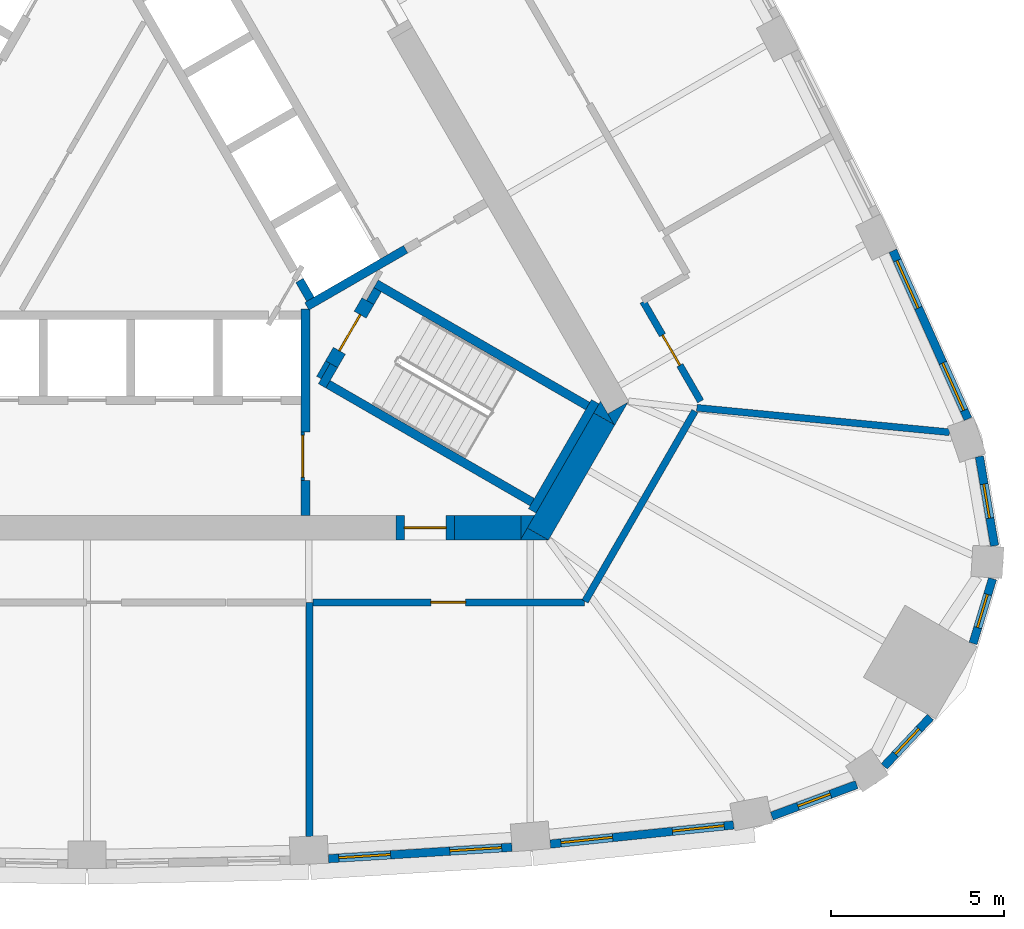
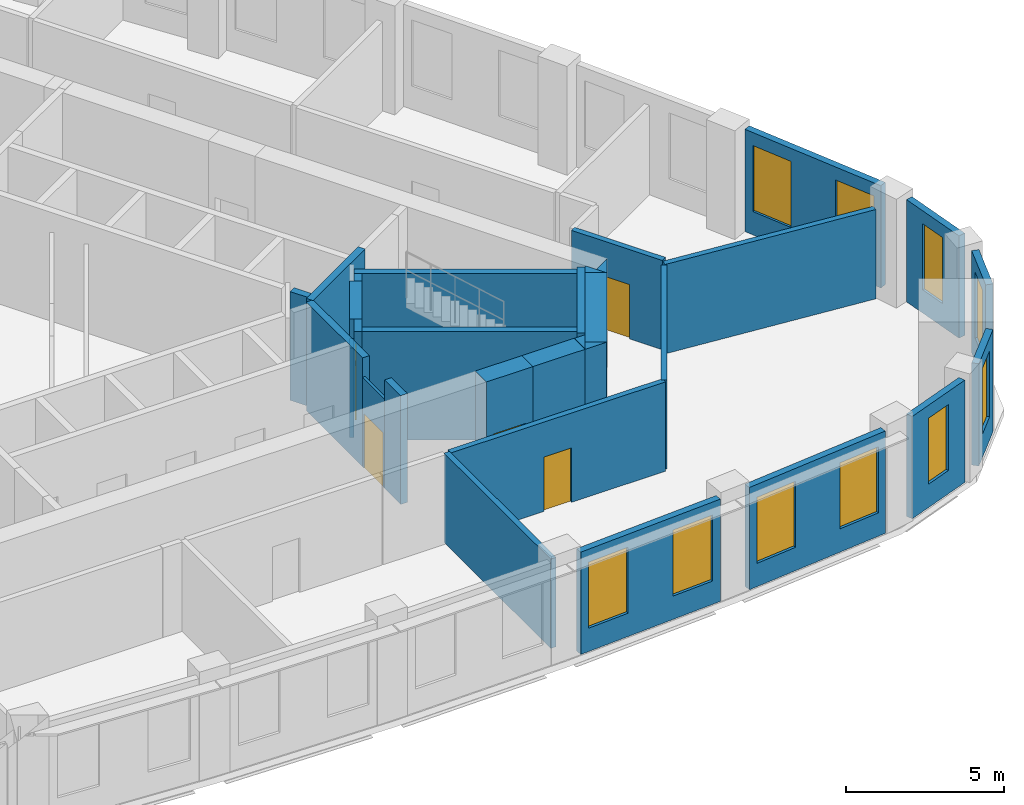
# One storey, part 6 of 10: 31 walls, 10 windows, 5 doors, 15 openings.
"""IFC4 building model written with IfcOpenShell, lengths in metres."""

from ifc_helpers import new_model, si_unit, direction, frame, frame_2d, origin, place, context, subcontext, project, spatial, polyline, rectangle, outline, extrude, material, layer, layer_set, type_object, element, fill, save


model = new_model("IFC4")

# Units and contexts
model_context = context("Model", 3, precision=1e-05, world=origin(), true_north=direction((0.0, 1.0)))
body_context = subcontext(model_context, "Body", "Model", "MODEL_VIEW")
ifc_project = project(units=[si_unit("LENGTHUNIT", "METRE"), si_unit("AREAUNIT", "SQUARE_METRE"), si_unit("VOLUMEUNIT", "CUBIC_METRE"), si_unit("PLANEANGLEUNIT", "RADIAN"), si_unit("MASSUNIT", "GRAM", prefix="KILO")], contexts=[model_context])

# Site, building, storey
site_placement = place(None, origin())
site = spatial("IfcSite", under=ifc_project, at=site_placement, CompositionType="ELEMENT")
building_placement = place(site_placement, origin())
building = spatial("IfcBuilding", under=site, at=building_placement, Name="Mestral Congress Tower", CompositionType="ELEMENT")
storey_placement = place(building_placement, frame((0.0, 0.0, 218.39990234375)))
storey = spatial("IfcBuildingStorey", under=building, at=storey_placement, Name="L51", CompositionType="ELEMENT", Elevation=218.39990234375)

# Wall
ifc_material_1 = material(Name="Fire-rated board partition")
ifc_layer_1 = layer(ifc_material_1, 0.14990234375)
ifc_layer_set_1 = layer_set([ifc_layer_1], Name="Fire-rated board partition")
wall_type_1 = type_object("IfcWallType", Name="Core partition 150", PredefinedType="PARTITIONING", material=ifc_layer_set_1)
wall_1_placement = place(storey_placement, frame((6.94482421875, -5.22216796875, 0.0), z_axis=(0.0, 0.0, 1.0), x_axis=(-0.499818422106, -0.866130212453, 0.0)))
element("IfcWall", 1, at=wall_1_placement, inside=storey, type_object=wall_type_1, Name="L51 core wall", PredefinedType="PARTITIONING", context=body_context, shape_type="SweptSolid", body=[
    extrude(rectangle(XDim=0.513916015625, YDim=0.14990234375, at=frame_2d((0.2568359375, 0.0))), origin(), (0.0, 0.0, 1.0), 3.4501953125),
])

# Wall, opening, door
ifc_layer_2 = layer(ifc_material_1, 0.090087890625)
ifc_layer_set_2 = layer_set([ifc_layer_2], Name="Fire-rated board partition")
wall_type_2 = type_object("IfcWallType", Name="Core partition 150 door-wall 90", PredefinedType="PARTITIONING", material=ifc_layer_set_2)
wall_2_placement = place(storey_placement, frame((6.219970703125, -7.23681640625, 0.0), z_axis=(0.0, 0.0, 1.0), x_axis=(0.0, -1.0, 0.0)))
wall_2 = element("IfcWall", 2, at=wall_2_placement, inside=storey, type_object=wall_type_2, Name="L51 door wall", PredefinedType="PARTITIONING", context=body_context, shape_type="SweptSolid", body=[
    extrude(rectangle(XDim=1.400146484375, YDim=0.090087890625, at=frame_2d((0.7001953125, 0.0))), origin(), (0.0, 0.0, 1.0), 3.4501953125),
])
opening_1_placement = place(wall_2_placement, frame((0.10009765625, 0.0, 0.0)))
opening_1 = element("IfcOpeningElement", 3, at=opening_1_placement, cuts=wall_2, Name="Opening LB0-WL1", PredefinedType="OPENING", context=body_context, shape_type="SweptSolid", body=[
    extrude(rectangle(XDim=1.199951171875, YDim=2.10009765625, at=frame_2d((0.60009765625, 1.050048828125))), frame((0.0, 0.054931640625, 0.0), z_axis=(0.0, -1.0, 0.0), x_axis=(1.0, 0.0, 0.0)), (0.0, 0.0, 1.0), 0.110107421875),
])
ifc_material_2 = material(Name="Fire-rated steel door set", Category="steel")
door_type_1 = type_object("IfcDoorType", Name="Core door LB 1200x2100", OperationType="SINGLE_SWING_LEFT", PredefinedType="DOOR", material=ifc_material_2)
door_1_placement = place(opening_1_placement, origin())
door_1 = element("IfcDoor", 4, at=door_1_placement, inside=storey, type_object=door_type_1, Name="Door LB0-WL1", OperationType="SINGLE_SWING_LEFT", OverallHeight=2.10009765625, OverallWidth=1.199951171875, PredefinedType="DOOR", context=body_context, shape_type="SweptSolid", body=[
    extrude(rectangle(XDim=1.199951171875, YDim=2.10009765625, at=frame_2d((0.60009765625, 1.050048828125))), frame((0.0, 0.02490234375, 0.0), z_axis=(0.0, -1.0, 0.0), x_axis=(1.0, 0.0, 0.0)), (0.0, 0.0, 1.0), 0.050048828125),
])
fill(opening_1, door_1)

# Walls
ifc_material_3 = material(Name="Concrete C60/75", Category="concrete")
ifc_layer_3 = layer(ifc_material_3, 0.699951171875)
ifc_layer_set_3 = layer_set([ifc_layer_3], Name="Concrete C60/75")
wall_type_3 = type_object("IfcWallType", Name="Core wall RC 700", PredefinedType="SOLIDWALL", material=ifc_layer_set_3)
placement = place(storey_placement, origin())
element("IfcWall", 5, at=placement, inside=storey, type_object=wall_type_3, Name="L51 core wall", PredefinedType="SOLIDWALL", context=body_context, shape_type="SweptSolid", body=[
    extrude(outline(polyline([(15.213134765625, -7.050048828125), (15.019287109375, -6.714111328125), (15.60107421875, -6.3779296875), (15.213134765625, -7.050048828125)])), origin(), (0.0, 0.0, 1.0), 4.2001953125),
])
wall_4_placement = place(storey_placement, frame((13.002685546875, -10.1787109375, 0.0), z_axis=(0.0, 0.0, 1.0), x_axis=(0.499972675833, 0.866041178825, 0.0)))
element("IfcWall", 6, at=wall_4_placement, inside=storey, type_object=wall_type_3, Name="L51 core wall", PredefinedType="SOLIDWALL", context=body_context, shape_type="SweptSolid", body=[
    extrude(rectangle(XDim=3.828857421875, YDim=0.699951171875, at=frame_2d((1.91455078125, 0.0))), origin(), (0.0, 0.0, 1.0), 4.2001953125),
])
element("IfcWall", 7, at=placement, inside=storey, type_object=wall_type_3, Name="L51 core wall", PredefinedType="SOLIDWALL", context=body_context, shape_type="SweptSolid", body=[
    extrude(outline(polyline([(12.698486328125, -10.00537109375), (13.295654296875, -10.35009765625), (12.49951171875, -10.35009765625), (12.698486328125, -10.00537109375)])), origin(), (0.0, 0.0, 1.0), 4.2001953125),
])
element("IfcWall", 8, at=placement, inside=storey, type_object=wall_type_3, Name="L51 core wall", PredefinedType="SOLIDWALL", context=body_context, shape_type="SweptSolid", body=[
    extrude(outline(polyline([(14.80908203125, -6.35009765625), (15.197265625, -7.022216796875), (14.614990234375, -6.68603515625), (14.80908203125, -6.35009765625)])), origin(), (0.0, 0.0, 1.0), 4.2001953125),
])
wall_7_placement = place(storey_placement, frame((10.6044921875, -10.0, 0.0), z_axis=(0.0, 0.0, 1.0), x_axis=(1.0, 0.0, 0.0)))
element("IfcWall", 9, at=wall_7_placement, inside=storey, type_object=wall_type_3, Name="L51 core wall", PredefinedType="SOLIDWALL", context=body_context, shape_type="SweptSolid", body=[
    extrude(rectangle(XDim=1.909423828125, YDim=0.699951171875, at=frame_2d((0.95458984375, 0.0))), origin(), (0.0, 0.0, 1.0), 4.2001953125),
])
element("IfcWall", 10, at=placement, inside=storey, type_object=wall_type_3, Name="L51 core wall", PredefinedType="SOLIDWALL", context=body_context, shape_type="SweptSolid", body=[
    extrude(outline(polyline([(12.90380859375, -9.64990234375), (12.515869140625, -10.322021484375), (12.515869140625, -9.64990234375), (12.90380859375, -9.64990234375)])), origin(), (0.0, 0.0, 1.0), 4.2001953125),
])

# Wall, opening, door
wall_9_placement = place(storey_placement, frame((10.6044921875, -10.0, 0.0), z_axis=(0.0, 0.0, 1.0), x_axis=(-1.0, 0.0, 0.0)))
wall_9 = element("IfcWall", 11, at=wall_9_placement, inside=storey, type_object=wall_type_3, Name="L51 door wall", PredefinedType="SOLIDWALL", context=body_context, shape_type="SweptSolid", body=[
    extrude(rectangle(XDim=1.699951171875, YDim=0.699951171875, at=frame_2d((0.85009765625, 0.0))), origin(), (0.0, 0.0, 1.0), 4.2001953125),
])
opening_2_placement = place(wall_9_placement, frame((0.25, 0.0, 0.0)))
opening_2 = element("IfcOpeningElement", 12, at=opening_2_placement, cuts=wall_9, Name="Opening XD1", PredefinedType="OPENING", context=body_context, shape_type="SweptSolid", body=[
    extrude(rectangle(XDim=1.199951171875, YDim=2.10009765625, at=frame_2d((0.60009765625, 1.050048828125))), frame((0.0, 0.35986328125, 0.0), z_axis=(0.0, -1.0, 0.0), x_axis=(1.0, 0.0, 0.0)), (0.0, 0.0, 1.0), 0.719970703125),
])
door_type_2 = type_object("IfcDoorType", Name="Core door XD 1200x2100", OperationType="SINGLE_SWING_LEFT", PredefinedType="DOOR", material=ifc_material_2)
door_2_placement = place(opening_2_placement, origin())
door_2 = element("IfcDoor", 13, at=door_2_placement, inside=storey, type_object=door_type_2, Name="Door XD1", OperationType="SINGLE_SWING_LEFT", OverallHeight=2.10009765625, OverallWidth=1.199951171875, PredefinedType="DOOR", context=body_context, shape_type="SweptSolid", body=[
    extrude(rectangle(XDim=1.199951171875, YDim=2.10009765625, at=frame_2d((0.60009765625, 1.050048828125))), frame((0.0, 0.02490234375, 0.0), z_axis=(0.0, -1.0, 0.0), x_axis=(1.0, 0.0, 0.0)), (0.0, 0.0, 1.0), 0.050048828125),
])
fill(opening_2, door_2)

# Wall, openings, windows
ifc_material_4 = material(Name="Precast concrete C40/50 with limestone facing", Category="masonry")
ifc_layer_4 = layer(ifc_material_4, 0.239990234375)
ifc_layer_set_4 = layer_set([ifc_layer_4], Name="Precast concrete C40/50 with limestone facing")
wall_type_4 = type_object("IfcWallType", Name="Facade stone wall 240", PredefinedType="SOLIDWALL", material=ifc_layer_set_4)
wall_10_placement = place(storey_placement, frame((6.965087890625, -19.54296875, 0.0), z_axis=(0.0, 0.0, 1.0), x_axis=(0.9980633213, 0.062206162685, 0.0)))
wall_10 = element("IfcWall", 14, at=wall_10_placement, inside=storey, type_object=wall_type_4, Name="Facade wall F0-04", PredefinedType="SOLIDWALL", context=body_context, shape_type="SweptSolid", body=[
    extrude(rectangle(XDim=5.29833984375, YDim=0.239990234375, at=frame_2d((2.649169921875, 0.0))), origin(), (0.0, 0.0, 1.0), 3.9501953125),
])
opening_3_placement = place(wall_10_placement, frame((0.294677734375, 0.0, 0.89990234375)))
opening_3 = element("IfcOpeningElement", 15, at=opening_3_placement, cuts=wall_10, Name="Opening W4", PredefinedType="OPENING", context=body_context, shape_type="SweptSolid", body=[
    extrude(rectangle(XDim=1.5, YDim=2.550048828125, at=frame_2d((0.75, 1.27490234375))), frame((0.0, 0.1298828125, 0.0), z_axis=(0.0, -1.0, 0.0), x_axis=(1.0, 0.0, 0.0)), (0.0, 0.0, 1.0), 0.260009765625),
])
opening_4_placement = place(wall_10_placement, frame((3.503662109375, 0.0, 0.89990234375)))
opening_4 = element("IfcOpeningElement", 16, at=opening_4_placement, cuts=wall_10, Name="Opening W4", PredefinedType="OPENING", context=body_context, shape_type="SweptSolid", body=[
    extrude(rectangle(XDim=1.5, YDim=2.550048828125, at=frame_2d((0.75, 1.27490234375))), frame((0.0, 0.1298828125, 0.0), z_axis=(0.0, -1.0, 0.0), x_axis=(1.0, 0.0, 0.0)), (0.0, 0.0, 1.0), 0.260009765625),
])
ifc_material_5 = material(Name="Clear low-emissivity double glazing", Category="glass")
window_type_1 = type_object("IfcWindowType", Name="Facade punched window 1500 x 2550 sill 900", PartitioningType="SINGLE_PANEL", PredefinedType="WINDOW", material=ifc_material_5)
window_1_placement = place(opening_3_placement, origin())
window_1 = element("IfcWindow", 17, at=window_1_placement, inside=storey, type_object=window_type_1, Name="Window F0-04a", OverallHeight=2.550048828125, OverallWidth=1.5, PartitioningType="SINGLE_PANEL", PredefinedType="WINDOW", context=body_context, shape_type="SweptSolid", body=[
    extrude(rectangle(XDim=1.5, YDim=2.550048828125, at=frame_2d((0.75, 1.27490234375))), frame((0.0, 0.0400390625, 0.0), z_axis=(0.0, -1.0, 0.0), x_axis=(1.0, 0.0, 0.0)), (0.0, 0.0, 1.0), 0.06005859375),
])
fill(opening_3, window_1)
window_2_placement = place(opening_4_placement, origin())
window_2 = element("IfcWindow", 18, at=window_2_placement, inside=storey, type_object=window_type_1, Name="Window F0-04b", OverallHeight=2.550048828125, OverallWidth=1.5, PartitioningType="SINGLE_PANEL", PredefinedType="WINDOW", context=body_context, shape_type="SweptSolid", body=[
    extrude(rectangle(XDim=1.5, YDim=2.550048828125, at=frame_2d((0.75, 1.27490234375))), frame((0.0, 0.0400390625, 0.0), z_axis=(0.0, -1.0, 0.0), x_axis=(1.0, 0.0, 0.0)), (0.0, 0.0, 1.0), 0.06005859375),
])
fill(opening_4, window_2)

wall_11_placement = place(storey_placement, frame((13.362060546875, -19.12109375, 0.0), z_axis=(0.0, 0.0, 1.0), x_axis=(0.994621961215, 0.103571976272, 0.0)))
wall_11 = element("IfcWall", 19, at=wall_11_placement, inside=storey, type_object=wall_type_4, Name="Facade wall F0-05", PredefinedType="SOLIDWALL", context=body_context, shape_type="SweptSolid", body=[
    extrude(rectangle(XDim=5.310791015625, YDim=0.239990234375, at=frame_2d((2.6552734375, 0.0))), origin(), (0.0, 0.0, 1.0), 3.9501953125),
])
opening_5_placement = place(wall_11_placement, frame((0.306396484375, 0.0, 0.89990234375)))
opening_5 = element("IfcOpeningElement", 20, at=opening_5_placement, cuts=wall_11, Name="Opening W4", PredefinedType="OPENING", context=body_context, shape_type="SweptSolid", body=[
    extrude(rectangle(XDim=1.5, YDim=2.550048828125, at=frame_2d((0.75, 1.27490234375))), frame((0.0, 0.1298828125, 0.0), z_axis=(0.0, -1.0, 0.0), x_axis=(1.0, 0.0, 0.0)), (0.0, 0.0, 1.0), 0.260009765625),
])
opening_6_placement = place(wall_11_placement, frame((3.539306640625, 0.0, 0.89990234375)))
opening_6 = element("IfcOpeningElement", 21, at=opening_6_placement, cuts=wall_11, Name="Opening W4", PredefinedType="OPENING", context=body_context, shape_type="SweptSolid", body=[
    extrude(rectangle(XDim=1.5, YDim=2.550048828125, at=frame_2d((0.75, 1.27490234375))), frame((0.0, 0.1298828125, 0.0), z_axis=(0.0, -1.0, 0.0), x_axis=(1.0, 0.0, 0.0)), (0.0, 0.0, 1.0), 0.260009765625),
])
window_3_placement = place(opening_5_placement, origin())
window_3 = element("IfcWindow", 22, at=window_3_placement, inside=storey, type_object=window_type_1, Name="Window F0-05a", OverallHeight=2.550048828125, OverallWidth=1.5, PartitioningType="SINGLE_PANEL", PredefinedType="WINDOW", context=body_context, shape_type="SweptSolid", body=[
    extrude(rectangle(XDim=1.5, YDim=2.550048828125, at=frame_2d((0.75, 1.27490234375))), frame((0.0, 0.0400390625, 0.0), z_axis=(0.0, -1.0, 0.0), x_axis=(1.0, 0.0, 0.0)), (0.0, 0.0, 1.0), 0.06005859375),
])
fill(opening_5, window_3)
window_4_placement = place(opening_6_placement, origin())
window_4 = element("IfcWindow", 23, at=window_4_placement, inside=storey, type_object=window_type_1, Name="Window F0-05b", OverallHeight=2.550048828125, OverallWidth=1.5, PartitioningType="SINGLE_PANEL", PredefinedType="WINDOW", context=body_context, shape_type="SweptSolid", body=[
    extrude(rectangle(XDim=1.5, YDim=2.550048828125, at=frame_2d((0.75, 1.27490234375))), frame((0.0, 0.0400390625, 0.0), z_axis=(0.0, -1.0, 0.0), x_axis=(1.0, 0.0, 0.0)), (0.0, 0.0, 1.0), 0.06005859375),
])
fill(opening_6, window_4)

# Wall, opening, window
wall_12_placement = place(storey_placement, frame((19.747802734375, -18.31396484375, 0.0), z_axis=(0.0, 0.0, 1.0), x_axis=(0.937569171184, 0.347798863203, 0.0)))
wall_12 = element("IfcWall", 24, at=wall_12_placement, inside=storey, type_object=wall_type_4, Name="Facade wall K0-0", PredefinedType="SOLIDWALL", context=body_context, shape_type="SweptSolid", body=[
    extrude(rectangle(XDim=2.609130859375, YDim=0.239990234375, at=frame_2d((1.3046875, 0.0))), origin(), (0.0, 0.0, 1.0), 3.9501953125),
])
opening_7_placement = place(wall_12_placement, frame((0.8046875, 0.0, 0.89990234375)))
opening_7 = element("IfcOpeningElement", 25, at=opening_7_placement, cuts=wall_12, Name="Opening W5", PredefinedType="OPENING", context=body_context, shape_type="SweptSolid", body=[
    extrude(rectangle(XDim=1.0, YDim=2.550048828125, at=frame_2d((0.5, 1.27490234375))), frame((0.0, 0.1298828125, 0.0), z_axis=(0.0, -1.0, 0.0), x_axis=(1.0, 0.0, 0.0)), (0.0, 0.0, 1.0), 0.260009765625),
])
window_type_2 = type_object("IfcWindowType", Name="Facade punched window 1000 x 2550 sill 900", PartitioningType="SINGLE_PANEL", PredefinedType="WINDOW", material=ifc_material_5)
window_5_placement = place(opening_7_placement, origin())
window_5 = element("IfcWindow", 26, at=window_5_placement, inside=storey, type_object=window_type_2, Name="Window K0-0", OverallHeight=2.550048828125, OverallWidth=1.0, PartitioningType="SINGLE_PANEL", PredefinedType="WINDOW", context=body_context, shape_type="SweptSolid", body=[
    extrude(rectangle(XDim=1.0, YDim=2.550048828125, at=frame_2d((0.5, 1.27490234375))), frame((0.0, 0.0400390625, 0.0), z_axis=(0.0, -1.0, 0.0), x_axis=(1.0, 0.0, 0.0)), (0.0, 0.0, 1.0), 0.06005859375),
])
fill(opening_7, window_5)

wall_13_placement = place(storey_placement, frame((22.989013671875, -16.87890625, 0.0), z_axis=(0.0, 0.0, 1.0), x_axis=(0.684770274166, 0.728758994194, 0.0)))
wall_13 = element("IfcWall", 27, at=wall_13_placement, inside=storey, type_object=wall_type_4, Name="Facade wall K0-1", PredefinedType="SOLIDWALL", context=body_context, shape_type="SweptSolid", body=[
    extrude(rectangle(XDim=1.947998046875, YDim=0.239990234375, at=frame_2d((0.97412109375, 0.0))), origin(), (0.0, 0.0, 1.0), 3.9501953125),
])
opening_8_placement = place(wall_13_placement, frame((0.47412109375, 0.0, 0.89990234375)))
opening_8 = element("IfcOpeningElement", 28, at=opening_8_placement, cuts=wall_13, Name="Opening W5", PredefinedType="OPENING", context=body_context, shape_type="SweptSolid", body=[
    extrude(rectangle(XDim=1.0, YDim=2.550048828125, at=frame_2d((0.5, 1.27490234375))), frame((0.0, 0.1298828125, 0.0), z_axis=(0.0, -1.0, 0.0), x_axis=(1.0, 0.0, 0.0)), (0.0, 0.0, 1.0), 0.260009765625),
])
window_6_placement = place(opening_8_placement, origin())
window_6 = element("IfcWindow", 29, at=window_6_placement, inside=storey, type_object=window_type_2, Name="Window K0-1", OverallHeight=2.550048828125, OverallWidth=1.0, PartitioningType="SINGLE_PANEL", PredefinedType="WINDOW", context=body_context, shape_type="SweptSolid", body=[
    extrude(rectangle(XDim=1.0, YDim=2.550048828125, at=frame_2d((0.5, 1.27490234375))), frame((0.0, 0.0400390625, 0.0), z_axis=(0.0, -1.0, 0.0), x_axis=(1.0, 0.0, 0.0)), (0.0, 0.0, 1.0), 0.06005859375),
])
fill(opening_8, window_6)

wall_14_placement = place(storey_placement, frame((25.5498046875, -13.334716796875, 0.0), z_axis=(0.0, 0.0, 1.0), x_axis=(0.288727209095, 0.957411405159, 0.0)))
wall_14 = element("IfcWall", 30, at=wall_14_placement, inside=storey, type_object=wall_type_4, Name="Facade wall K0-2", PredefinedType="SOLIDWALL", context=body_context, shape_type="SweptSolid", body=[
    extrude(rectangle(XDim=1.9482421875, YDim=0.239990234375, at=frame_2d((0.97412109375, 0.0))), origin(), (0.0, 0.0, 1.0), 3.9501953125),
])
opening_9_placement = place(wall_14_placement, frame((0.47412109375, 0.0, 0.89990234375)))
opening_9 = element("IfcOpeningElement", 31, at=opening_9_placement, cuts=wall_14, Name="Opening W5", PredefinedType="OPENING", context=body_context, shape_type="SweptSolid", body=[
    extrude(rectangle(XDim=1.0, YDim=2.550048828125, at=frame_2d((0.5, 1.27490234375))), frame((0.0, 0.1298828125, 0.0), z_axis=(0.0, -1.0, 0.0), x_axis=(1.0, 0.0, 0.0)), (0.0, 0.0, 1.0), 0.260009765625),
])
window_7_placement = place(opening_9_placement, origin())
window_7 = element("IfcWindow", 32, at=window_7_placement, inside=storey, type_object=window_type_2, Name="Window K0-2", OverallHeight=2.550048828125, OverallWidth=1.0, PartitioningType="SINGLE_PANEL", PredefinedType="WINDOW", context=body_context, shape_type="SweptSolid", body=[
    extrude(rectangle(XDim=1.0, YDim=2.550048828125, at=frame_2d((0.5, 1.27490234375))), frame((0.0, 0.0400390625, 0.0), z_axis=(0.0, -1.0, 0.0), x_axis=(1.0, 0.0, 0.0)), (0.0, 0.0, 1.0), 0.06005859375),
])
fill(opening_9, window_7)

wall_15_placement = place(storey_placement, frame((26.171630859375, -10.517333984375, 0.0), z_axis=(0.0, 0.0, 1.0), x_axis=(-0.167660055546, 0.985844869021, 0.0)))
wall_15 = element("IfcWall", 33, at=wall_15_placement, inside=storey, type_object=wall_type_4, Name="Facade wall K0-3", PredefinedType="SOLIDWALL", context=body_context, shape_type="SweptSolid", body=[
    extrude(rectangle(XDim=2.609375, YDim=0.239990234375, at=frame_2d((1.3046875, 0.0))), origin(), (0.0, 0.0, 1.0), 3.9501953125),
])
opening_10_placement = place(wall_15_placement, frame((0.8046875, 0.0, 0.89990234375)))
opening_10 = element("IfcOpeningElement", 34, at=opening_10_placement, cuts=wall_15, Name="Opening W5", PredefinedType="OPENING", context=body_context, shape_type="SweptSolid", body=[
    extrude(rectangle(XDim=1.0, YDim=2.550048828125, at=frame_2d((0.5, 1.27490234375))), frame((0.0, 0.1298828125, 0.0), z_axis=(0.0, -1.0, 0.0), x_axis=(1.0, 0.0, 0.0)), (0.0, 0.0, 1.0), 0.260009765625),
])
window_8_placement = place(opening_10_placement, origin())
window_8 = element("IfcWindow", 35, at=window_8_placement, inside=storey, type_object=window_type_2, Name="Window K0-3", OverallHeight=2.550048828125, OverallWidth=1.0, PartitioningType="SINGLE_PANEL", PredefinedType="WINDOW", context=body_context, shape_type="SweptSolid", body=[
    extrude(rectangle(XDim=1.0, YDim=2.550048828125, at=frame_2d((0.5, 1.27490234375))), frame((0.0, 0.0400390625, 0.0), z_axis=(0.0, -1.0, 0.0), x_axis=(1.0, 0.0, 0.0)), (0.0, 0.0, 1.0), 0.06005859375),
])
fill(opening_10, window_8)

# Wall, openings, windows
wall_16_placement = place(storey_placement, frame((25.405029296875, -6.86083984375, 0.0), z_axis=(0.0, 0.0, 1.0), x_axis=(-0.407579651789, 0.913169659728, 0.0)))
wall_16 = element("IfcWall", 36, at=wall_16_placement, inside=storey, type_object=wall_type_4, Name="Facade wall F1-00", PredefinedType="SOLIDWALL", context=body_context, shape_type="SweptSolid", body=[
    extrude(rectangle(XDim=5.310791015625, YDim=0.239990234375, at=frame_2d((2.6552734375, 0.0))), origin(), (0.0, 0.0, 1.0), 3.9501953125),
])
opening_11_placement = place(wall_16_placement, frame((0.271484375, 0.0, 0.89990234375)))
opening_11 = element("IfcOpeningElement", 37, at=opening_11_placement, cuts=wall_16, Name="Opening W4", PredefinedType="OPENING", context=body_context, shape_type="SweptSolid", body=[
    extrude(rectangle(XDim=1.5, YDim=2.550048828125, at=frame_2d((0.75, 1.27490234375))), frame((0.0, 0.1298828125, 0.0), z_axis=(0.0, -1.0, 0.0), x_axis=(1.0, 0.0, 0.0)), (0.0, 0.0, 1.0), 0.260009765625),
])
opening_12_placement = place(wall_16_placement, frame((3.50439453125, 0.0, 0.89990234375)))
opening_12 = element("IfcOpeningElement", 38, at=opening_12_placement, cuts=wall_16, Name="Opening W4", PredefinedType="OPENING", context=body_context, shape_type="SweptSolid", body=[
    extrude(rectangle(XDim=1.5, YDim=2.550048828125, at=frame_2d((0.75, 1.27490234375))), frame((0.0, 0.1298828125, 0.0), z_axis=(0.0, -1.0, 0.0), x_axis=(1.0, 0.0, 0.0)), (0.0, 0.0, 1.0), 0.260009765625),
])
window_9_placement = place(opening_11_placement, origin())
window_9 = element("IfcWindow", 39, at=window_9_placement, inside=storey, type_object=window_type_1, Name="Window F1-00a", OverallHeight=2.550048828125, OverallWidth=1.5, PartitioningType="SINGLE_PANEL", PredefinedType="WINDOW", context=body_context, shape_type="SweptSolid", body=[
    extrude(rectangle(XDim=1.5, YDim=2.550048828125, at=frame_2d((0.75, 1.27490234375))), frame((0.0, 0.0400390625, 0.0), z_axis=(0.0, -1.0, 0.0), x_axis=(1.0, 0.0, 0.0)), (0.0, 0.0, 1.0), 0.06005859375),
])
fill(opening_11, window_9)
window_10_placement = place(opening_12_placement, origin())
window_10 = element("IfcWindow", 40, at=window_10_placement, inside=storey, type_object=window_type_1, Name="Window F1-00b", OverallHeight=2.550048828125, OverallWidth=1.5, PartitioningType="SINGLE_PANEL", PredefinedType="WINDOW", context=body_context, shape_type="SweptSolid", body=[
    extrude(rectangle(XDim=1.5, YDim=2.550048828125, at=frame_2d((0.75, 1.27490234375))), frame((0.0, 0.0400390625, 0.0), z_axis=(0.0, -1.0, 0.0), x_axis=(1.0, 0.0, 0.0)), (0.0, 0.0, 1.0), 0.06005859375),
])
fill(opening_12, window_10)

# Walls
ifc_material_6 = material(Name="Dense masonry wall, plastered", Category="masonry")
ifc_layer_5 = layer(ifc_material_6, 0.199951171875)
ifc_layer_set_5 = layer_set([ifc_layer_5], Name="Dense masonry wall, plastered")
wall_type_5 = type_object("IfcWallType", Name="Office tenancy wall 200", PredefinedType="PARTITIONING", material=ifc_layer_set_5)
wall_17_placement = place(storey_placement, frame((6.416748046875, -12.14990234375, 0.0), z_axis=(0.0, 0.0, 1.0), x_axis=(0.0, -1.0, 0.0)))
element("IfcWall", 41, at=wall_17_placement, inside=storey, type_object=wall_type_5, Name="Tenancy wall", PredefinedType="PARTITIONING", context=body_context, shape_type="SweptSolid", body=[
    extrude(rectangle(XDim=6.746826171875, YDim=0.199951171875, at=frame_2d((3.37353515625, 0.0))), origin(), (0.0, 0.0, 1.0), 3.4501953125),
])
wall_18_placement = place(storey_placement, frame((17.5859375, -6.540283203125, 0.0), z_axis=(0.0, 0.0, 1.0), x_axis=(0.995357542522, -0.096246363795, 0.0)))
element("IfcWall", 42, at=wall_18_placement, inside=storey, type_object=wall_type_5, Name="Tenancy wall", PredefinedType="PARTITIONING", context=body_context, shape_type="SweptSolid", body=[
    extrude(rectangle(XDim=7.318115234375, YDim=0.199951171875, at=frame_2d((3.6591796875, 0.0))), origin(), (0.0, 0.0, 1.0), 3.4501953125),
])

# Wall, opening, door
wall_19_placement = place(storey_placement, frame((6.516845703125, -12.14990234375, 0.0), z_axis=(0.0, 0.0, 1.0), x_axis=(1.0, 0.0, 0.0)))
wall_19 = element("IfcWall", 43, at=wall_19_placement, inside=storey, type_object=wall_type_5, Name="Tenancy wall", PredefinedType="PARTITIONING", context=body_context, shape_type="SweptSolid", body=[
    extrude(rectangle(XDim=7.830322265625, YDim=0.199951171875, at=frame_2d((3.9150390625, 0.0))), origin(), (0.0, 0.0, 1.0), 3.4501953125),
])
opening_13_placement = place(wall_19_placement, frame((3.39990234375, 0.0, 0.0)))
opening_13 = element("IfcOpeningElement", 44, at=opening_13_placement, cuts=wall_19, Name="Opening O07-002", PredefinedType="OPENING", context=body_context, shape_type="SweptSolid", body=[
    extrude(rectangle(XDim=1.0, YDim=2.10009765625, at=frame_2d((0.5, 1.050048828125))), frame((0.0, 0.10986328125, 0.0), z_axis=(0.0, -1.0, 0.0), x_axis=(1.0, 0.0, 0.0)), (0.0, 0.0, 1.0), 0.219970703125),
])
ifc_material_7 = material(Name="Fire-rated timber door set", Category="wood")
door_type_3 = type_object("IfcDoorType", Name="Office tenancy entrance door 1000x2100", OperationType="SINGLE_SWING_LEFT", PredefinedType="DOOR", material=ifc_material_7)
door_3_placement = place(opening_13_placement, origin())
door_3 = element("IfcDoor", 45, at=door_3_placement, inside=storey, type_object=door_type_3, Name="Door O07-002", OperationType="SINGLE_SWING_LEFT", OverallHeight=2.10009765625, OverallWidth=1.0, PredefinedType="DOOR", context=body_context, shape_type="SweptSolid", body=[
    extrude(rectangle(XDim=1.0, YDim=2.10009765625, at=frame_2d((0.5, 1.050048828125))), frame((0.0, 0.02490234375, 0.0), z_axis=(0.0, -1.0, 0.0), x_axis=(1.0, 0.0, 0.0)), (0.0, 0.0, 1.0), 0.050048828125),
])
fill(opening_13, door_3)

# Wall
wall_20_placement = place(storey_placement, frame((14.362060546875, -12.1240234375, 0.0), z_axis=(0.0, 0.0, 1.0), x_axis=(0.500017005442, 0.866015585465, 0.0)))
element("IfcWall", 46, at=wall_20_placement, inside=storey, type_object=wall_type_5, Name="Tenancy wall", PredefinedType="PARTITIONING", context=body_context, shape_type="SweptSolid", body=[
    extrude(rectangle(XDim=6.337646484375, YDim=0.199951171875, at=frame_2d((3.1689453125, 0.0))), origin(), (0.0, 0.0, 1.0), 3.4501953125),
])

# Wall, opening, door
wall_21_placement = place(storey_placement, frame((17.69580078125, -6.35009765625, 0.0), z_axis=(0.0, 0.0, 1.0), x_axis=(-0.500017629075, 0.866015225394, 0.0)))
wall_21 = element("IfcWall", 47, at=wall_21_placement, inside=storey, type_object=wall_type_5, Name="Tenancy wall", PredefinedType="PARTITIONING", context=body_context, shape_type="SweptSolid", body=[
    extrude(rectangle(XDim=3.3173828125, YDim=0.199951171875, at=frame_2d((1.65869140625, 0.0))), origin(), (0.0, 0.0, 1.0), 3.4501953125),
])
opening_14_placement = place(wall_21_placement, frame((1.199951171875, 0.0, 0.0)))
opening_14 = element("IfcOpeningElement", 48, at=opening_14_placement, cuts=wall_21, Name="Opening O07-003", PredefinedType="OPENING", context=body_context, shape_type="SweptSolid", body=[
    extrude(rectangle(XDim=1.0, YDim=2.10009765625, at=frame_2d((0.5, 1.050048828125))), frame((0.0, 0.10986328125, 0.0), z_axis=(0.0, -1.0, 0.0), x_axis=(1.0, 0.0, 0.0)), (0.0, 0.0, 1.0), 0.219970703125),
])
door_4_placement = place(opening_14_placement, origin())
door_4 = element("IfcDoor", 49, at=door_4_placement, inside=storey, type_object=door_type_3, Name="Door O07-003", OperationType="SINGLE_SWING_RIGHT", OverallHeight=2.10009765625, OverallWidth=1.0, PredefinedType="DOOR", context=body_context, shape_type="SweptSolid", body=[
    extrude(rectangle(XDim=1.0, YDim=2.10009765625, at=frame_2d((0.5, 1.050048828125))), frame((0.0, 0.02490234375, 0.0), z_axis=(0.0, -1.0, 0.0), x_axis=(1.0, 0.0, 0.0)), (0.0, 0.0, 1.0), 0.050048828125),
])
fill(opening_14, door_4)

# Walls
ifc_layer_6 = layer(ifc_material_3, 0.25)
ifc_layer_set_6 = layer_set([ifc_layer_6], Name="Concrete C60/75")
wall_type_6 = type_object("IfcWallType", Name="Shaft wall RC 250", PredefinedType="SOLIDWALL", material=ifc_layer_set_6)
wall_22_placement = place(storey_placement, frame((6.300048828125, -7.239990234375, 0.0), z_axis=(0.0, 0.0, 1.0), x_axis=(0.0, 1.0, 0.0)))
element("IfcWall", 50, at=wall_22_placement, inside=storey, type_object=wall_type_6, Name="L51 core wall", PredefinedType="SOLIDWALL", context=body_context, shape_type="SweptSolid", body=[
    extrude(rectangle(XDim=3.55615234375, YDim=0.25, at=frame_2d((1.778076171875, 0.0))), origin(), (0.0, 0.0, 1.0), 4.2001953125),
])
wall_23_placement = place(storey_placement, frame((6.300048828125, -9.64990234375, 0.0), z_axis=(0.0, 0.0, 1.0), x_axis=(0.0, 1.0, 0.0)))
element("IfcWall", 51, at=wall_23_placement, inside=storey, type_object=wall_type_6, Name="L51 core wall", PredefinedType="SOLIDWALL", context=body_context, shape_type="SweptSolid", body=[
    extrude(rectangle(XDim=1.0078125, YDim=0.25, at=frame_2d((0.50390625, 0.0))), origin(), (0.0, 0.0, 1.0), 4.2001953125),
])
wall_24_placement = place(storey_placement, frame((9.190185546875, -1.96875, 0.0), z_axis=(0.0, 0.0, 1.0), x_axis=(-0.866057109641, -0.499945079824, 0.0)))
element("IfcWall", 52, at=wall_24_placement, inside=storey, type_object=wall_type_6, Name="L51 core wall", PredefinedType="SOLIDWALL", context=body_context, shape_type="SweptSolid", body=[
    extrude(rectangle(XDim=3.290771484375, YDim=0.25, at=frame_2d((1.6455078125, 0.0))), origin(), (0.0, 0.0, 1.0), 4.2001953125),
])
wall_25_placement = place(storey_placement, frame((6.1298828125, -2.867431640625, 0.0), z_axis=(0.0, 0.0, 1.0), x_axis=(0.500160776593, -0.865932559475, 0.0)))
element("IfcWall", 53, at=wall_25_placement, inside=storey, type_object=wall_type_6, Name="L51 core wall", PredefinedType="SOLIDWALL", context=body_context, shape_type="SweptSolid", body=[
    extrude(rectangle(XDim=0.626708984375, YDim=0.25, at=frame_2d((0.3134765625, 0.0))), origin(), (0.0, 0.0, 1.0), 4.2001953125),
])
ifc_layer_7 = layer(ifc_material_3, 0.25)
ifc_layer_set_7 = layer_set([ifc_layer_7], Name="Concrete C60/75")
wall_type_7 = type_object("IfcWallType", Name="Stair wall RC 250", PredefinedType="SOLIDWALL", material=ifc_layer_set_7)
wall_26_placement = place(storey_placement, frame((12.839599609375, -9.510986328125, 0.0), z_axis=(0.0, 0.0, 1.0), x_axis=(0.500048121057, 0.865997619297, 0.0)))
element("IfcWall", 54, at=wall_26_placement, inside=storey, type_object=wall_type_7, Name="L51 core wall", PredefinedType="SOLIDWALL", context=body_context, shape_type="SweptSolid", body=[
    extrude(rectangle(XDim=3.634033203125, YDim=0.25, at=frame_2d((1.81689453125, 0.0))), origin(), (0.0, 0.0, 1.0), 4.2001953125),
])
wall_27_placement = place(storey_placement, frame((12.83984375, -9.2607421875, 0.0), z_axis=(0.0, 0.0, 1.0), x_axis=(-0.866013990052, 0.500019768644, 0.0)))
element("IfcWall", 55, at=wall_27_placement, inside=storey, type_object=wall_type_7, Name="L51 core wall", PredefinedType="SOLIDWALL", context=body_context, shape_type="SweptSolid", body=[
    extrude(rectangle(XDim=6.800048828125, YDim=0.25, at=frame_2d((3.39990234375, 0.0))), origin(), (0.0, 0.0, 1.0), 4.2001953125),
])
wall_28_placement = place(storey_placement, frame((6.780029296875, -5.906494140625, 0.0), z_axis=(0.0, 0.0, 1.0), x_axis=(0.500223362819, 0.865896406789, 0.0)))
element("IfcWall", 56, at=wall_28_placement, inside=storey, type_object=wall_type_7, Name="L51 core wall", PredefinedType="SOLIDWALL", context=body_context, shape_type="SweptSolid", body=[
    extrude(rectangle(XDim=0.675048828125, YDim=0.25, at=frame_2d((0.33740234375, 0.0))), origin(), (0.0, 0.0, 1.0), 4.2001953125),
])
wall_29_placement = place(storey_placement, frame((8.33447265625, -2.96435546875, 0.0), z_axis=(0.0, 0.0, 1.0), x_axis=(0.866016039709, -0.500016218704, 0.0)))
element("IfcWall", 57, at=wall_29_placement, inside=storey, type_object=wall_type_7, Name="L51 core wall", PredefinedType="SOLIDWALL", context=body_context, shape_type="SweptSolid", body=[
    extrude(rectangle(XDim=7.050048828125, YDim=0.25, at=frame_2d((3.52490234375, 0.0))), origin(), (0.0, 0.0, 1.0), 4.2001953125),
])
wall_30_placement = place(storey_placement, frame((8.167724609375, -3.503173828125, 0.0), z_axis=(0.0, 0.0, 1.0), x_axis=(0.49972245349, 0.866185586049, 0.0)))
element("IfcWall", 58, at=wall_30_placement, inside=storey, type_object=wall_type_7, Name="L51 core wall", PredefinedType="SOLIDWALL", context=body_context, shape_type="SweptSolid", body=[
    extrude(rectangle(XDim=0.425048828125, YDim=0.25, at=frame_2d((0.21240234375, 0.0))), origin(), (0.0, 0.0, 1.0), 4.2001953125),
])

# Wall, opening, door
ifc_layer_8 = layer(ifc_material_3, 0.39990234375)
ifc_layer_set_8 = layer_set([ifc_layer_8], Name="Concrete C60/75")
wall_type_8 = type_object("IfcWallType", Name="Stair wall RC 250 door-wall 400", PredefinedType="SOLIDWALL", material=ifc_layer_set_8)
wall_31_placement = place(storey_placement, frame((7.052734375, -5.2841796875, 0.0), z_axis=(0.0, 0.0, 1.0), x_axis=(0.500078061341, 0.865980330357, 0.0)))
wall_31 = element("IfcWall", 59, at=wall_31_placement, inside=storey, type_object=wall_type_8, Name="L51 door wall", PredefinedType="SOLIDWALL", context=body_context, shape_type="SweptSolid", body=[
    extrude(rectangle(XDim=2.099853515625, YDim=0.39990234375, at=frame_2d((1.0498046875, 0.0))), origin(), (0.0, 0.0, 1.0), 4.2001953125),
])
opening_15_placement = place(wall_31_placement, frame((0.449951171875, 0.0, 0.0)))
opening_15 = element("IfcOpeningElement", 60, at=opening_15_placement, cuts=wall_31, Name="Opening ST-D1", PredefinedType="OPENING", context=body_context, shape_type="SweptSolid", body=[
    extrude(rectangle(XDim=1.199951171875, YDim=2.10009765625, at=frame_2d((0.60009765625, 1.050048828125))), frame((0.0, 0.2099609375, 0.0), z_axis=(0.0, -1.0, 0.0), x_axis=(1.0, 0.0, 0.0)), (0.0, 0.0, 1.0), 0.419921875),
])
door_type_4 = type_object("IfcDoorType", Name="Core door ST 1200x2100", OperationType="SINGLE_SWING_LEFT", PredefinedType="DOOR", material=ifc_material_2)
door_5_placement = place(opening_15_placement, origin())
door_5 = element("IfcDoor", 61, at=door_5_placement, inside=storey, type_object=door_type_4, Name="Door ST-D1", OperationType="SINGLE_SWING_LEFT", OverallHeight=2.10009765625, OverallWidth=1.199951171875, PredefinedType="DOOR", context=body_context, shape_type="SweptSolid", body=[
    extrude(rectangle(XDim=1.199951171875, YDim=2.10009765625, at=frame_2d((0.60009765625, 1.050048828125))), frame((0.0, 0.02490234375, 0.0), z_axis=(0.0, -1.0, 0.0), x_axis=(1.0, 0.0, 0.0)), (0.0, 0.0, 1.0), 0.050048828125),
])
fill(opening_15, door_5)

save(model, "model.ifc")
